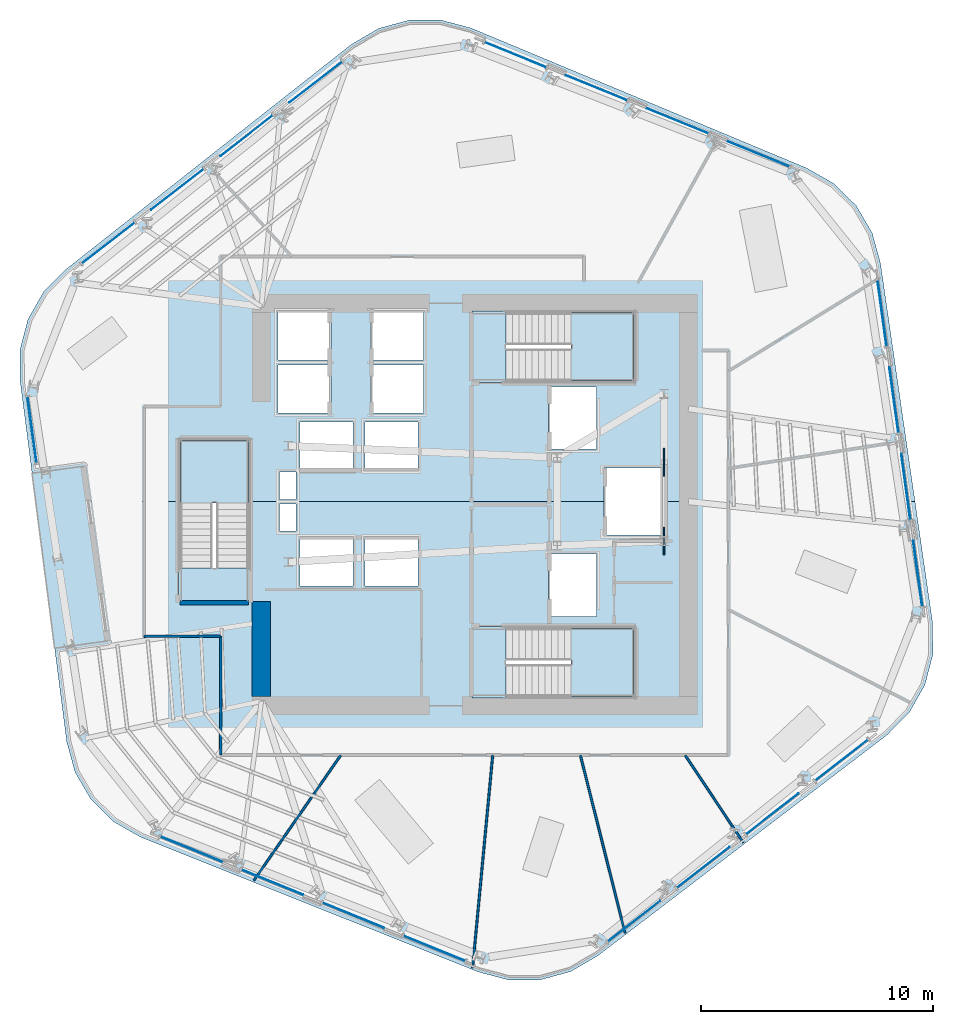
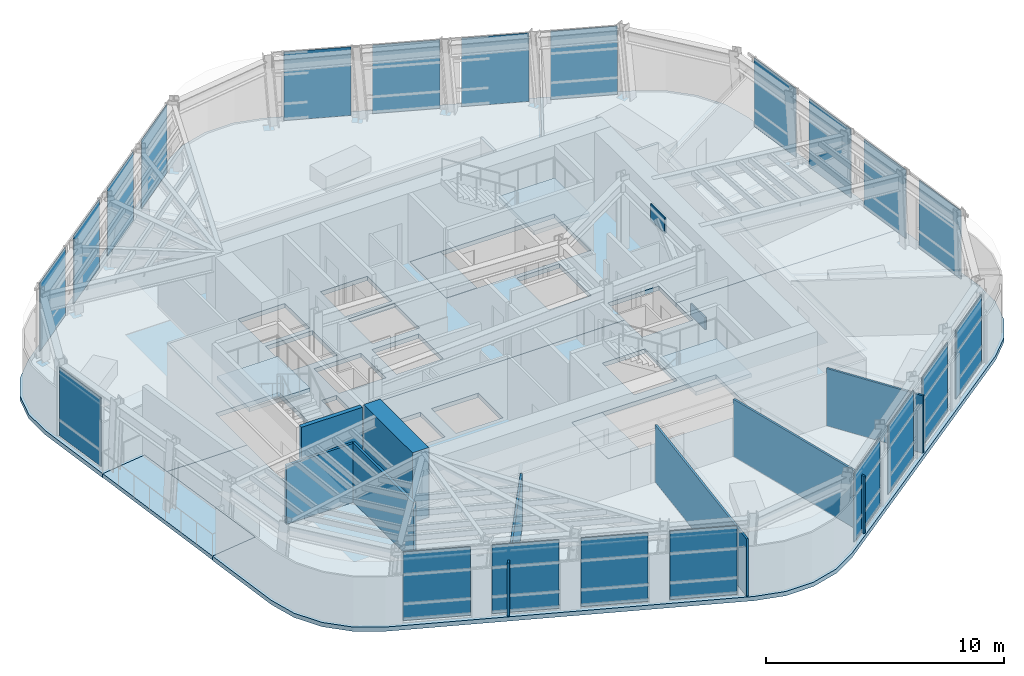
# One storey, part 7 of 15: 23 plates, 9 slabs, 8 walls, 9 elements without a shape of their own.
"""IFC4 building model written with IfcOpenShell, lengths in metres."""

from ifc_helpers import new_model, si_unit, direction, frame, frame_2d, origin, origin_2d, place, context, subcontext, project, spatial, polyline, rectangle, outline, extrude, material, layer, layer_set, type_object, element, aggregate, save


model = new_model("IFC4")

# Units and contexts
model_context = context("Model", 3, precision=1e-05, world=origin(), true_north=direction((0.0, 1.0)))
body_context = subcontext(model_context, "Body", "Model", "MODEL_VIEW")
ifc_project = project(units=[si_unit("LENGTHUNIT", "METRE"), si_unit("AREAUNIT", "SQUARE_METRE"), si_unit("VOLUMEUNIT", "CUBIC_METRE"), si_unit("PLANEANGLEUNIT", "RADIAN"), si_unit("MASSUNIT", "GRAM", prefix="KILO")], contexts=[model_context])

# Site, building, storey
site_placement = place(None, origin())
site = spatial("IfcSite", under=ifc_project, at=site_placement, CompositionType="ELEMENT")
building_placement = place(site_placement, origin())
building = spatial("IfcBuilding", under=site, at=building_placement, Name="Valkerne Bourse Tower", CompositionType="ELEMENT")
storey_placement = place(building_placement, frame((0.0, 0.0, 185.60009765625)))
storey = spatial("IfcBuildingStorey", under=building, at=storey_placement, Name="L47", CompositionType="ELEMENT", Elevation=185.60009765625)

# Curtain wall, plates
ifc_material_1 = material(Name="Aluminium AA 6063-T6", Category="aluminium")
ifc_layer_1 = layer(ifc_material_1, 0.235107421875)
ifc_layer_set_1 = layer_set([ifc_layer_1], Name="Aluminium AA 6063-T6")
curtain_wall_type = type_object("IfcCurtainWallType", Name="CW-03", PredefinedType="NOTDEFINED", material=ifc_layer_set_1)
curtain_wall_1_placement = place(storey_placement, origin())
curtain_wall_1 = element("IfcCurtainWall", 1, at=curtain_wall_1_placement, inside=storey, type_object=curtain_wall_type, Name="L47 Hexagonal Stick Curtain Wall Face 1", PredefinedType="NOTDEFINED")
ifc_material_2 = material(Name="Glass IGU Low-E Double Glazed", Category="glass")
ifc_layer_2 = layer(ifc_material_2, 0.031982421875)
ifc_layer_set_2 = layer_set([ifc_layer_2], Name="Glass IGU Low-E Double Glazed")
plate_type_1 = type_object("IfcPlateType", Name="CW-PNL-IGU-32", PredefinedType="CURTAIN_PANEL", material=ifc_layer_set_2)
plate_1_placement = place(storey_placement, frame((59.02099609375, 41.975830078125, 0.02978515625), z_axis=(0.0, 0.0, 1.0), x_axis=(-0.925875664448, 0.377828339307, 0.0)))
plate_1 = element("IfcPlate", 2, at=plate_1_placement, type_object=plate_type_1, Name="CW-L47-F1 Curtain Panel 00", PredefinedType="CURTAIN_PANEL", context=body_context, shape_type="SweptSolid", body=[
    extrude(rectangle(XDim=2.85107421875, YDim=0.031982421875, at=origin_2d()), origin(), (0.0, 0.0, 1.0), 3.52001953125),
])
plate_2_placement = place(storey_placement, frame((55.529296875, 43.400634765625, 0.02978515625), z_axis=(0.0, 0.0, 1.0), x_axis=(-0.925862601572, 0.377860348556, 0.0)))
plate_2 = element("IfcPlate", 3, at=plate_2_placement, type_object=plate_type_1, Name="CW-L47-F1 Curtain Panel 01", PredefinedType="CURTAIN_PANEL", context=body_context, shape_type="SweptSolid", body=[
    extrude(rectangle(XDim=2.85107421875, YDim=0.031982421875, at=origin_2d()), origin(), (0.0, 0.0, 1.0), 3.52001953125),
])
plate_3_placement = place(storey_placement, frame((52.0380859375, 44.825439453125, 0.02978515625), z_axis=(0.0, 0.0, 1.0), x_axis=(-0.925875664448, 0.377828339307, 0.0)))
plate_3 = element("IfcPlate", 4, at=plate_3_placement, type_object=plate_type_1, Name="CW-L47-F1 Curtain Panel 02", PredefinedType="CURTAIN_PANEL", context=body_context, shape_type="SweptSolid", body=[
    extrude(rectangle(XDim=2.85107421875, YDim=0.031982421875, at=origin_2d()), origin(), (0.0, 0.0, 1.0), 3.52001953125),
])
plate_4_placement = place(storey_placement, frame((48.54638671875, 46.250244140625, 0.02978515625), z_axis=(0.0, 0.0, 1.0), x_axis=(-0.925866387681, 0.377851071406, 0.0)))
plate_4 = element("IfcPlate", 5, at=plate_4_placement, type_object=plate_type_1, Name="CW-L47-F1 Curtain Panel 03", PredefinedType="CURTAIN_PANEL", context=body_context, shape_type="SweptSolid", body=[
    extrude(rectangle(XDim=2.85107421875, YDim=0.031982421875, at=origin_2d()), origin(), (0.0, 0.0, 1.0), 3.52001953125),
])
aggregate(curtain_wall_1, [plate_1, plate_2, plate_3, plate_4])

curtain_wall_2_placement = place(storey_placement, origin())
curtain_wall_2 = element("IfcCurtainWall", 6, at=curtain_wall_2_placement, inside=storey, type_object=curtain_wall_type, Name="L47 Hexagonal Stick Curtain Wall Face 2", PredefinedType="NOTDEFINED")
plate_5_placement = place(storey_placement, frame((39.94091796875, 45.071533203125, 0.02978515625), z_axis=(0.0, 0.0, 1.0), x_axis=(-0.790144053744, -0.612921181174, 0.0)))
plate_5 = element("IfcPlate", 7, at=plate_5_placement, type_object=plate_type_1, Name="CW-L47-F2 Curtain Panel 00", PredefinedType="CURTAIN_PANEL", context=body_context, shape_type="SweptSolid", body=[
    extrude(rectangle(XDim=2.850830078125, YDim=0.031982421875, at=origin_2d()), origin(), (0.0, 0.0, 1.0), 3.52001953125),
])
plate_6_placement = place(storey_placement, frame((36.96142578125, 42.76025390625, 0.02978515625), z_axis=(0.0, 0.0, 1.0), x_axis=(-0.790166858134, -0.612891781889, 0.0)))
plate_6 = element("IfcPlate", 8, at=plate_6_placement, type_object=plate_type_1, Name="CW-L47-F2 Curtain Panel 01", PredefinedType="CURTAIN_PANEL", context=body_context, shape_type="SweptSolid", body=[
    extrude(rectangle(XDim=2.850830078125, YDim=0.031982421875, at=origin_2d()), origin(), (0.0, 0.0, 1.0), 3.52001953125),
])
plate_7_placement = place(storey_placement, frame((33.981689453125, 40.448974609375, 0.02978515625), z_axis=(0.0, 0.0, 1.0), x_axis=(-0.790154015691, -0.612908338569, 0.0)))
plate_7 = element("IfcPlate", 9, at=plate_7_placement, type_object=plate_type_1, Name="CW-L47-F2 Curtain Panel 02", PredefinedType="CURTAIN_PANEL", context=body_context, shape_type="SweptSolid", body=[
    extrude(rectangle(XDim=2.850830078125, YDim=0.031982421875, at=origin_2d()), origin(), (0.0, 0.0, 1.0), 3.52001953125),
])
plate_8_placement = place(storey_placement, frame((31.001953125, 38.1376953125, 0.02978515625), z_axis=(0.0, 0.0, 1.0), x_axis=(-0.790154015691, -0.612908338569, 0.0)))
plate_8 = element("IfcPlate", 10, at=plate_8_placement, type_object=plate_type_1, Name="CW-L47-F2 Curtain Panel 03", PredefinedType="CURTAIN_PANEL", context=body_context, shape_type="SweptSolid", body=[
    extrude(rectangle(XDim=2.850830078125, YDim=0.031982421875, at=origin_2d()), origin(), (0.0, 0.0, 1.0), 3.52001953125),
])
aggregate(curtain_wall_2, [plate_5, plate_6, plate_7, plate_8])

# Curtain wall, plate
curtain_wall_3_placement = place(storey_placement, origin())
curtain_wall_3 = element("IfcCurtainWall", 11, at=curtain_wall_3_placement, inside=storey, type_object=curtain_wall_type, Name="L47 Hexagonal Stick Curtain Wall Face 3", PredefinedType="NOTDEFINED")
plate_9_placement = place(storey_placement, frame((27.72021484375, 30.095703125, 0.02978515625), z_axis=(0.0, 0.0, 1.0), x_axis=(0.135694217689, -0.990750765473, 0.0)))
plate_9 = element("IfcPlate", 12, at=plate_9_placement, type_object=plate_type_1, Name="CW-L47-F3 Curtain Panel 00", PredefinedType="CURTAIN_PANEL", context=body_context, shape_type="SweptSolid", body=[
    extrude(rectangle(XDim=2.850830078125, YDim=0.031982421875, at=origin_2d()), origin(), (0.0, 0.0, 1.0), 3.52001953125),
])
aggregate(curtain_wall_3, [plate_9])

# Curtain wall, plates
curtain_wall_4_placement = place(storey_placement, origin())
curtain_wall_4 = element("IfcCurtainWall", 13, at=curtain_wall_4_placement, inside=storey, type_object=curtain_wall_type, Name="L47 Hexagonal Stick Curtain Wall Face 4", PredefinedType="NOTDEFINED")
plate_10_placement = place(storey_placement, frame((34.5791015625, 12.024169921875, 0.02978515625), z_axis=(0.0, 0.0, 1.0), x_axis=(0.925875664448, -0.377828339307, 0.0)))
plate_10 = element("IfcPlate", 14, at=plate_10_placement, type_object=plate_type_1, Name="CW-L47-F4 Curtain Panel 00", PredefinedType="CURTAIN_PANEL", context=body_context, shape_type="SweptSolid", body=[
    extrude(rectangle(XDim=2.85107421875, YDim=0.031982421875, at=origin_2d()), origin(), (0.0, 0.0, 1.0), 3.52001953125),
])
plate_11_placement = place(storey_placement, frame((38.070556640625, 10.599365234375, 0.02978515625), z_axis=(0.0, 0.0, 1.0), x_axis=(0.925862601572, -0.377860348556, 0.0)))
plate_11 = element("IfcPlate", 15, at=plate_11_placement, type_object=plate_type_1, Name="CW-L47-F4 Curtain Panel 01", PredefinedType="CURTAIN_PANEL", context=body_context, shape_type="SweptSolid", body=[
    extrude(rectangle(XDim=2.85107421875, YDim=0.031982421875, at=origin_2d()), origin(), (0.0, 0.0, 1.0), 3.52001953125),
])
plate_12_placement = place(storey_placement, frame((41.56201171875, 9.174560546875, 0.02978515625), z_axis=(0.0, 0.0, 1.0), x_axis=(0.925875664448, -0.377828339307, 0.0)))
plate_12 = element("IfcPlate", 16, at=plate_12_placement, type_object=plate_type_1, Name="CW-L47-F4 Curtain Panel 02", PredefinedType="CURTAIN_PANEL", context=body_context, shape_type="SweptSolid", body=[
    extrude(rectangle(XDim=2.85107421875, YDim=0.031982421875, at=origin_2d()), origin(), (0.0, 0.0, 1.0), 3.52001953125),
])
plate_13_placement = place(storey_placement, frame((45.053466796875, 7.74951171875, 0.02978515625), z_axis=(0.0, 0.0, 1.0), x_axis=(0.925866387681, -0.377851071406, 0.0)))
plate_13 = element("IfcPlate", 17, at=plate_13_placement, type_object=plate_type_1, Name="CW-L47-F4 Curtain Panel 03", PredefinedType="CURTAIN_PANEL", context=body_context, shape_type="SweptSolid", body=[
    extrude(rectangle(XDim=2.85107421875, YDim=0.031982421875, at=origin_2d()), origin(), (0.0, 0.0, 1.0), 3.52001953125),
])
aggregate(curtain_wall_4, [plate_10, plate_11, plate_12, plate_13])

curtain_wall_5_placement = place(storey_placement, origin())
curtain_wall_5 = element("IfcCurtainWall", 18, at=curtain_wall_5_placement, inside=storey, type_object=curtain_wall_type, Name="L47 Hexagonal Stick Curtain Wall Face 5", PredefinedType="NOTDEFINED")
plate_14_placement = place(storey_placement, frame((53.658935546875, 8.928466796875, 0.02978515625), z_axis=(0.0, 0.0, 1.0), x_axis=(0.790144053744, 0.612921181174, 0.0)))
plate_14 = element("IfcPlate", 19, at=plate_14_placement, type_object=plate_type_1, Name="CW-L47-F5 Curtain Panel 00", PredefinedType="CURTAIN_PANEL", context=body_context, shape_type="SweptSolid", body=[
    extrude(rectangle(XDim=2.850830078125, YDim=0.031982421875, at=origin_2d()), origin(), (0.0, 0.0, 1.0), 3.52001953125),
])
plate_15_placement = place(storey_placement, frame((56.638671875, 11.23974609375, 0.02978515625), z_axis=(0.0, 0.0, 1.0), x_axis=(0.790166858134, 0.612891781889, 0.0)))
plate_15 = element("IfcPlate", 20, at=plate_15_placement, type_object=plate_type_1, Name="CW-L47-F5 Curtain Panel 01", PredefinedType="CURTAIN_PANEL", context=body_context, shape_type="SweptSolid", body=[
    extrude(rectangle(XDim=2.850830078125, YDim=0.031982421875, at=origin_2d()), origin(), (0.0, 0.0, 1.0), 3.52001953125),
])
plate_16_placement = place(storey_placement, frame((59.618408203125, 13.551025390625, 0.02978515625), z_axis=(0.0, 0.0, 1.0), x_axis=(0.790154015691, 0.612908338569, 0.0)))
plate_16 = element("IfcPlate", 21, at=plate_16_placement, type_object=plate_type_1, Name="CW-L47-F5 Curtain Panel 02", PredefinedType="CURTAIN_PANEL", context=body_context, shape_type="SweptSolid", body=[
    extrude(rectangle(XDim=2.850830078125, YDim=0.031982421875, at=origin_2d()), origin(), (0.0, 0.0, 1.0), 3.52001953125),
])
plate_17_placement = place(storey_placement, frame((62.59814453125, 15.8623046875, 0.02978515625), z_axis=(0.0, 0.0, 1.0), x_axis=(0.790154015691, 0.612908338569, 0.0)))
plate_17 = element("IfcPlate", 22, at=plate_17_placement, type_object=plate_type_1, Name="CW-L47-F5 Curtain Panel 03", PredefinedType="CURTAIN_PANEL", context=body_context, shape_type="SweptSolid", body=[
    extrude(rectangle(XDim=2.850830078125, YDim=0.031982421875, at=origin_2d()), origin(), (0.0, 0.0, 1.0), 3.52001953125),
])
aggregate(curtain_wall_5, [plate_14, plate_15, plate_16, plate_17])

curtain_wall_6_placement = place(storey_placement, origin())
curtain_wall_6 = element("IfcCurtainWall", 23, at=curtain_wall_6_placement, inside=storey, type_object=curtain_wall_type, Name="L47 Hexagonal Stick Curtain Wall Face 6", PredefinedType="NOTDEFINED")
plate_18_placement = place(storey_placement, frame((65.8798828125, 23.904296875, 0.02978515625), z_axis=(0.0, 0.0, 1.0), x_axis=(-0.135694217689, 0.990750765473, 0.0)))
plate_18 = element("IfcPlate", 24, at=plate_18_placement, type_object=plate_type_1, Name="CW-L47-F6 Curtain Panel 00", PredefinedType="CURTAIN_PANEL", context=body_context, shape_type="SweptSolid", body=[
    extrude(rectangle(XDim=2.850830078125, YDim=0.031982421875, at=origin_2d()), origin(), (0.0, 0.0, 1.0), 3.52001953125),
])
plate_19_placement = place(storey_placement, frame((65.3681640625, 27.640380859375, 0.02978515625), z_axis=(0.0, 0.0, 1.0), x_axis=(-0.135720247585, 0.990747200044, 0.0)))
plate_19 = element("IfcPlate", 25, at=plate_19_placement, type_object=plate_type_1, Name="CW-L47-F6 Curtain Panel 01", PredefinedType="CURTAIN_PANEL", context=body_context, shape_type="SweptSolid", body=[
    extrude(rectangle(XDim=2.850830078125, YDim=0.031982421875, at=origin_2d()), origin(), (0.0, 0.0, 1.0), 3.52001953125),
])
plate_20_placement = place(storey_placement, frame((64.8564453125, 31.37646484375, 0.02978515625), z_axis=(0.0, 0.0, 1.0), x_axis=(-0.135720247585, 0.990747200044, 0.0)))
plate_20 = element("IfcPlate", 26, at=plate_20_placement, type_object=plate_type_1, Name="CW-L47-F6 Curtain Panel 02", PredefinedType="CURTAIN_PANEL", context=body_context, shape_type="SweptSolid", body=[
    extrude(rectangle(XDim=2.850830078125, YDim=0.031982421875, at=origin_2d()), origin(), (0.0, 0.0, 1.0), 3.52001953125),
])
plate_21_placement = place(storey_placement, frame((64.344482421875, 35.112548828125, 0.02978515625), z_axis=(0.0, 0.0, 1.0), x_axis=(-0.135720247585, 0.990747200044, 0.0)))
plate_21 = element("IfcPlate", 27, at=plate_21_placement, type_object=plate_type_1, Name="CW-L47-F6 Curtain Panel 03", PredefinedType="CURTAIN_PANEL", context=body_context, shape_type="SweptSolid", body=[
    extrude(rectangle(XDim=2.850830078125, YDim=0.031982421875, at=origin_2d()), origin(), (0.0, 0.0, 1.0), 3.52001953125),
])
aggregate(curtain_wall_6, [plate_18, plate_19, plate_20, plate_21])

# Plates
ifc_material_3 = material(Name="Steel ASTM A572 Grade 50", Category="steel")
ifc_layer_3 = layer(ifc_material_3, 0.06005859375)
ifc_layer_set_3 = layer_set([ifc_layer_3], Name="Steel ASTM A572 Grade 50")
plate_type_2 = type_object("IfcPlateType", Name="PLT-GUS-60", PredefinedType="SHEET", material=ifc_layer_set_3)
for number, where, z_axis, x_axis, name in (
    (28, (54.949951171875, 25.300048828125, -0.18017578125), (0.0, 0.0, 1.0), (0.0, 1.0, 0.0), "L47 Brace Node Gusset Plate PLT-GUS-END-L47-410"),
    (29, (54.949951171875, 28.699951171875, 2.8740234375), (0.0, 0.0, 1.0), (0.0, 1.0, 0.0), "L47 Brace Node Gusset Plate PLT-GUS-END-L47-411"),
):
    element("IfcPlate", number, at=place(storey_placement, frame(where, z_axis=z_axis, x_axis=x_axis)), inside=storey, type_object=plate_type_2, Name=name, PredefinedType="SHEET", context=body_context, shape_type="SweptSolid", body=[
        extrude(rectangle(XDim=1.199951171875, YDim=0.06005859375, at=origin_2d()), origin(), (0.0, 0.0, 1.0), 0.800048828125),
    ])

# Slabs
ifc_material_4 = material(Name="Concrete C40/50", Category="concrete")
ifc_layer_4 = layer(ifc_material_4, 0.25)
ifc_layer_set_4 = layer_set([ifc_layer_4], Name="Concrete C40/50")
slab_type_1 = type_object("IfcSlabType", Name="SLB-RMP-LND-250", PredefinedType="LANDING", material=ifc_layer_set_4)
slab_1_placement = place(storey_placement, frame((0.0, 0.0, -0.22021484375)))
element("IfcSlab", 30, at=slab_1_placement, inside=storey, type_object=slab_type_1, Name="L47 ST-1 Floor Landing Slab", PredefinedType="LANDING", context=body_context, shape_type="SweptSolid", body=[
    extrude(outline(polyline([(46.669921875, 18.5400390625), (48.14990234375, 18.5400390625), (48.14990234375, 21.610107421875), (46.669921875, 21.610107421875), (46.669921875, 18.5400390625)])), origin(), (0.0, 0.0, 1.0), 0.22021484375),
])
slab_2_placement = place(storey_placement, frame((0.0, 0.0, -0.22021484375)))
element("IfcSlab", 31, at=slab_2_placement, inside=storey, type_object=slab_type_1, Name="L47 ST-2 Floor Landing Slab", PredefinedType="LANDING", context=body_context, shape_type="SweptSolid", body=[
    extrude(outline(polyline([(46.669921875, 32.139892578125), (48.14990234375, 32.139892578125), (48.14990234375, 35.2099609375), (46.669921875, 35.2099609375), (46.669921875, 32.139892578125)])), origin(), (0.0, 0.0, 1.0), 0.22021484375),
])
slab_3_placement = place(storey_placement, frame((0.0, 0.0, -0.22021484375)))
element("IfcSlab", 32, at=slab_3_placement, inside=storey, type_object=slab_type_1, Name="L47 ST-3 Floor Landing Slab", PredefinedType="LANDING", context=body_context, shape_type="SweptSolid", body=[
    extrude(outline(polyline([(37.110107421875, 22.669921875), (37.110107421875, 24.14990234375), (34.0400390625, 24.14990234375), (34.0400390625, 22.669921875), (37.110107421875, 22.669921875)])), origin(), (0.0, 0.0, 1.0), 0.22021484375),
])

# Stair, slab
stair_type = type_object("IfcStairType", Name="ST-CORE-1400", PredefinedType="HALF_TURN_STAIR", material=ifc_material_4)
stair_1_placement = place(storey_placement, origin())
stair_1 = element("IfcStair", 33, at=stair_1_placement, inside=storey, type_object=stair_type, Name="L47 ST-1", PredefinedType="HALF_TURN_STAIR")
ifc_layer_5 = layer(ifc_material_4, 0.179931640625)
ifc_layer_set_5 = layer_set([ifc_layer_5], Name="Concrete C40/50")
slab_type_2 = type_object("IfcSlabType", Name="SLB-ST-LND-180", PredefinedType="LANDING", material=ifc_layer_set_5)
slab_4_placement = place(storey_placement, frame((0.0, 0.0, 1.699951171875)))
slab_4 = element("IfcSlab", 34, at=slab_4_placement, type_object=slab_type_2, Name="ST-1 landing 1", PredefinedType="LANDING", context=body_context, shape_type="SweptSolid", body=[
    extrude(outline(polyline([(50.949951171875, 18.60009765625), (53.64990234375, 18.60009765625), (53.64990234375, 21.550048828125), (50.949951171875, 21.550048828125), (50.949951171875, 18.60009765625)])), origin(), (0.0, 0.0, 1.0), 0.199951171875),
])
aggregate(stair_1, [slab_4])

stair_2_placement = place(storey_placement, origin())
stair_2 = element("IfcStair", 35, at=stair_2_placement, inside=storey, type_object=stair_type, Name="L47 ST-2", PredefinedType="HALF_TURN_STAIR")
slab_5_placement = place(storey_placement, frame((0.0, 0.0, 1.699951171875)))
slab_5 = element("IfcSlab", 36, at=slab_5_placement, type_object=slab_type_2, Name="ST-2 landing 1", PredefinedType="LANDING", context=body_context, shape_type="SweptSolid", body=[
    extrude(outline(polyline([(50.949951171875, 32.199951171875), (53.64990234375, 32.199951171875), (53.64990234375, 35.14990234375), (50.949951171875, 35.14990234375), (50.949951171875, 32.199951171875)])), origin(), (0.0, 0.0, 1.0), 0.199951171875),
])
aggregate(stair_2, [slab_5])

stair_3_placement = place(storey_placement, origin())
stair_3 = element("IfcStair", 37, at=stair_3_placement, inside=storey, type_object=stair_type, Name="L47 ST-3", PredefinedType="HALF_TURN_STAIR")
slab_6_placement = place(storey_placement, frame((0.0, 0.0, 1.699951171875)))
slab_6 = element("IfcSlab", 38, at=slab_6_placement, type_object=slab_type_2, Name="ST-3 landing 1", PredefinedType="LANDING", context=body_context, shape_type="SweptSolid", body=[
    extrude(outline(polyline([(37.050048828125, 26.949951171875), (37.050048828125, 29.64990234375), (34.10009765625, 29.64990234375), (34.10009765625, 26.949951171875), (37.050048828125, 26.949951171875)])), origin(), (0.0, 0.0, 1.0), 0.199951171875),
])
aggregate(stair_3, [slab_6])

# Slabs
ifc_layer_6 = layer(ifc_material_4, 0.199951171875)
ifc_layer_set_6 = layer_set([ifc_layer_6], Name="Concrete C40/50")
slab_type_3 = type_object("IfcSlabType", Name="SLB-TER-200", PredefinedType="FLOOR", material=ifc_layer_set_6)
slab_7_placement = place(storey_placement, frame((0.0, 0.0, -0.2001953125)))
element("IfcSlab", 39, at=slab_7_placement, inside=storey, type_object=slab_type_3, Name="L47 V-Notch Stepped Outdoor Terrace Slab", PredefinedType="FLOOR", context=body_context, shape_type="SweptSolid", body=[
    extrude(outline(polyline([(27.720458984375, 28.221923828125), (29.930908203125, 28.524658203125), (30.96240234375, 20.9951171875), (28.693603515625, 20.684326171875), (27.720458984375, 28.221923828125)])), origin(), (0.0, 0.0, 1.0), 0.2001953125),
])
ifc_layer_7 = layer(ifc_material_4, 0.219970703125)
ifc_layer_set_7 = layer_set([ifc_layer_7], Name="Concrete C40/50")
slab_type_4 = type_object("IfcSlabType", Name="SLB-TOW-220", PredefinedType="FLOOR", material=ifc_layer_set_7)
slab_8_placement = place(storey_placement, frame((0.0, 0.0, -0.22021484375)))
element("IfcSlab", 40, at=slab_8_placement, inside=storey, type_object=slab_type_4, Name="L47 Hexagonal Composite Floor Slab S", PredefinedType="FLOOR", context=body_context, shape_type="SweptSolid", body=[
    extrude(outline(polyline([(66.52099609375, 21.76025390625), (66.528076171875, 20.402587890625), (66.18359375, 19.089599609375), (65.510986328125, 17.910400390625), (64.55615234375, 16.94580078125), (52.103759765625, 7.43994140625), (50.931640625, 6.7548828125), (49.622314453125, 6.396728515625), (48.264892578125, 6.3896484375), (46.951904296875, 6.734130859375), (32.401611328125, 12.541015625), (31.22265625, 13.213623046875), (30.2578125, 14.16845703125), (29.57275390625, 15.340576171875), (29.214599609375, 16.64990234375), (28.693603515625, 20.684326171875), (30.96240234375, 20.9951171875), (30.1396484375, 27.0), (34.034912109375, 27.0), (34.034912109375, 22.6650390625), (37.114990234375, 22.6650390625), (37.114990234375, 27.0), (52.360107421875, 27.0), (52.360107421875, 25.56005859375), (54.840087890625, 25.56005859375), (54.840087890625, 27.0), (65.761962890625, 27.0), (66.52099609375, 21.76025390625)]), holes=[polyline([(41.5400390625, 25.43994140625), (39.260009765625, 25.43994140625), (39.260009765625, 23.360107421875), (41.5400390625, 23.360107421875), (41.5400390625, 25.43994140625)]), polyline([(44.340087890625, 25.43994140625), (42.06005859375, 25.43994140625), (42.06005859375, 23.360107421875), (44.340087890625, 23.360107421875), (44.340087890625, 25.43994140625)]), polyline([(39.10009765625, 26.89990234375), (38.3798828125, 26.89990234375), (38.3798828125, 25.72998046875), (39.10009765625, 25.72998046875), (39.10009765625, 26.89990234375)]), polyline([(53.675048828125, 21.614990234375), (46.6650390625, 21.614990234375), (46.6650390625, 18.534912109375), (53.675048828125, 18.534912109375), (53.675048828125, 21.614990234375)]), polyline([(52.0400390625, 24.739990234375), (49.9599609375, 24.739990234375), (49.9599609375, 22.06005859375), (52.0400390625, 22.06005859375), (52.0400390625, 24.739990234375)])]), origin(), (0.0, 0.0, 1.0), 0.22021484375),
])
slab_9_placement = place(storey_placement, frame((0.0, 0.0, -0.22021484375)))
element("IfcSlab", 41, at=slab_9_placement, inside=storey, type_object=slab_type_4, Name="L47 Hexagonal Composite Floor Slab N", PredefinedType="FLOOR", context=body_context, shape_type="SweptSolid", body=[
    extrude(outline(polyline([(27.5458984375, 34.857421875), (28.218505859375, 36.03662109375), (29.17333984375, 37.00146484375), (41.477294921875, 46.69873046875), (42.6494140625, 47.3837890625), (43.958740234375, 47.741943359375), (45.316162109375, 47.7490234375), (46.629150390625, 47.404541015625), (61.087646484375, 41.373291015625), (62.266845703125, 40.70068359375), (63.231689453125, 39.74560546875), (63.91650390625, 38.57373046875), (64.27490234375, 37.264404296875), (65.761962890625, 27.0), (54.840087890625, 27.0), (54.840087890625, 28.43994140625), (52.360107421875, 28.43994140625), (52.360107421875, 27.0), (37.114990234375, 27.0), (37.114990234375, 29.675048828125), (34.034912109375, 29.675048828125), (34.034912109375, 27.0), (30.1396484375, 27.0), (29.930908203125, 28.524658203125), (27.720458984375, 28.221923828125), (27.20849609375, 32.18701171875), (27.201416015625, 33.54443359375), (27.5458984375, 34.857421875)]), holes=[polyline([(39.10009765625, 28.27001953125), (38.3798828125, 28.27001953125), (38.3798828125, 27.10009765625), (39.10009765625, 27.10009765625), (39.10009765625, 28.27001953125)]), polyline([(41.5400390625, 30.43994140625), (39.260009765625, 30.43994140625), (39.260009765625, 28.360107421875), (41.5400390625, 28.360107421875), (41.5400390625, 30.43994140625)]), polyline([(40.590087890625, 32.889892578125), (38.31005859375, 32.889892578125), (38.31005859375, 30.81005859375), (40.590087890625, 30.81005859375), (40.590087890625, 32.889892578125)]), polyline([(40.590087890625, 35.18994140625), (38.31005859375, 35.18994140625), (38.31005859375, 33.110107421875), (40.590087890625, 33.110107421875), (40.590087890625, 35.18994140625)]), polyline([(44.340087890625, 30.43994140625), (42.06005859375, 30.43994140625), (42.06005859375, 28.360107421875), (44.340087890625, 28.360107421875), (44.340087890625, 30.43994140625)]), polyline([(52.0400390625, 31.93994140625), (49.9599609375, 31.93994140625), (49.9599609375, 29.260009765625), (52.0400390625, 29.260009765625), (52.0400390625, 31.93994140625)]), polyline([(44.590087890625, 32.889892578125), (42.31005859375, 32.889892578125), (42.31005859375, 30.81005859375), (44.590087890625, 30.81005859375), (44.590087890625, 32.889892578125)]), polyline([(53.675048828125, 35.215087890625), (46.6650390625, 35.215087890625), (46.6650390625, 32.135009765625), (53.675048828125, 32.135009765625), (53.675048828125, 35.215087890625)]), polyline([(44.590087890625, 35.18994140625), (42.31005859375, 35.18994140625), (42.31005859375, 33.110107421875), (44.590087890625, 33.110107421875), (44.590087890625, 35.18994140625)])]), origin(), (0.0, 0.0, 1.0), 0.22021484375),
])

# Walls
ifc_material_5 = material(Name="Concrete C55/67", Category="concrete")
ifc_layer_8 = layer(ifc_material_5, 0.800048828125)
ifc_layer_set_8 = layer_set([ifc_layer_8], Name="Concrete C55/67")
wall_type_1 = type_object("IfcWallType", Name="W-CORE-800", PredefinedType="SHEAR", material=ifc_layer_set_8)
wall_1_placement = place(storey_placement, frame((37.60009765625, 18.60009765625, 0.0), z_axis=(0.0, 0.0, 1.0), x_axis=(0.0, 1.0, 0.0)))
element("IfcWall", 42, at=wall_1_placement, inside=storey, type_object=wall_type_1, Name="L47 Core Shear Wall WEST-S", PredefinedType="SHEAR", context=body_context, shape_type="SweptSolid", body=[
    extrude(rectangle(XDim=4.099853515625, YDim=0.800048828125, at=frame_2d((2.0498046875, 0.0))), origin(), (0.0, 0.0, 1.0), 3.579833984375),
])
ifc_material_6 = material(Name="Gypsum Board Steel-Stud Partition", Category="steel")
ifc_layer_9 = layer(ifc_material_6, 0.117919921875)
ifc_layer_set_9 = layer_set([ifc_layer_9], Name="Gypsum Board Steel-Stud Partition")
wall_type_2 = type_object("IfcWallType", Name="W-CORR-140", PredefinedType="PARTITIONING", material=ifc_layer_set_9)
wall_2_placement = place(storey_placement, frame((35.85009765625, 16.080078125, 0.0), z_axis=(0.0, 0.0, 1.0), x_axis=(0.0, 1.0, 0.0)))
element("IfcWall", 43, at=wall_2_placement, inside=storey, type_object=wall_type_2, Name="L47 Corridor Enclosure Wall", PredefinedType="PARTITIONING", context=body_context, shape_type="SweptSolid", body=[
    extrude(rectangle(XDim=5.119873046875, YDim=0.117919921875, at=frame_2d((2.56005859375, 0.0))), origin(), (0.0, 0.0, 1.0), 3.03662109375),
])
wall_3_placement = place(storey_placement, frame((35.85009765625, 21.199951171875, 0.0), z_axis=(0.0, 0.0, 1.0), x_axis=(-1.0, 0.0, 0.0)))
element("IfcWall", 44, at=wall_3_placement, inside=storey, type_object=wall_type_2, Name="L47 Corridor Enclosure Wall", PredefinedType="PARTITIONING", context=body_context, shape_type="SweptSolid", body=[
    extrude(rectangle(XDim=3.300048828125, YDim=0.117919921875, at=frame_2d((1.64990234375, 0.0))), origin(), (0.0, 0.0, 1.0), 3.021240234375),
])
ifc_layer_10 = layer(ifc_material_6, 0.092041015625)
ifc_layer_set_10 = layer_set([ifc_layer_10], Name="Gypsum Board Steel-Stud Partition")
wall_type_3 = type_object("IfcWallType", Name="W-PART-115", PredefinedType="PARTITIONING", material=ifc_layer_set_10)
wall_4_placement = place(storey_placement, frame((47.5673828125, 16.074951171875, 0.0), z_axis=(0.0, 0.0, 1.0), x_axis=(-0.094117005308, -0.99556114293, 0.0)))
element("IfcWall", 45, at=wall_4_placement, inside=storey, type_object=wall_type_3, Name="L47 Suite Partition P01", PredefinedType="PARTITIONING", context=body_context, shape_type="SweptSolid", body=[
    extrude(rectangle(XDim=9.2060546875, YDim=0.092041015625, at=frame_2d((4.60302734375, 0.0))), origin(), (0.0, 0.0, 1.0), 2.9423828125),
])
wall_5_placement = place(storey_placement, frame((51.34423828125, 16.074951171875, 0.0), z_axis=(0.0, 0.0, 1.0), x_axis=(0.24360488536, -0.969874558811, 0.0)))
element("IfcWall", 46, at=wall_5_placement, inside=storey, type_object=wall_type_3, Name="L47 Suite Partition P02", PredefinedType="PARTITIONING", context=body_context, shape_type="SweptSolid", body=[
    extrude(rectangle(XDim=7.896240234375, YDim=0.092041015625, at=frame_2d((3.9482421875, 0.0))), origin(), (0.0, 0.0, 1.0), 2.9423828125),
])
wall_6_placement = place(storey_placement, frame((55.858642578125, 16.074951171875, 0.0), z_axis=(0.0, 0.0, 1.0), x_axis=(0.553392197646, -0.832920809912, 0.0)))
element("IfcWall", 47, at=wall_6_placement, inside=storey, type_object=wall_type_3, Name="L47 Suite Partition P03", PredefinedType="PARTITIONING", context=body_context, shape_type="SweptSolid", body=[
    extrude(rectangle(XDim=4.525146484375, YDim=0.092041015625, at=frame_2d((2.2626953125, 0.0))), origin(), (0.0, 0.0, 1.0), 2.9423828125),
])
wall_7_placement = place(storey_placement, frame((41.021484375, 16.074951171875, 0.0), z_axis=(0.0, 0.0, 1.0), x_axis=(-0.569993572697, -0.821649150845, 0.0)))
element("IfcWall", 48, at=wall_7_placement, inside=storey, type_object=wall_type_3, Name="L47 Suite Partition P09", PredefinedType="PARTITIONING", context=body_context, shape_type="SweptSolid", body=[
    extrude(rectangle(XDim=6.57568359375, YDim=0.092041015625, at=frame_2d((3.287841796875, 0.0))), origin(), (0.0, 0.0, 1.0), 2.71142578125),
])
ifc_layer_11 = layer(ifc_material_4, 0.199951171875)
ifc_layer_set_11 = layer_set([ifc_layer_11], Name="Concrete C40/50")
wall_type_4 = type_object("IfcWallType", Name="W-SHF-200", PredefinedType="SHEAR", material=ifc_layer_set_11)
wall_8_placement = place(storey_placement, frame((34.10009765625, 22.64990234375, 0.0), z_axis=(0.0, 0.0, 1.0), x_axis=(1.0, 0.0, 0.0)))
element("IfcWall", 49, at=wall_8_placement, inside=storey, type_object=wall_type_4, Name="L47 Exit Stair ST-3 Structural Shaft Wall South", PredefinedType="SHEAR", context=body_context, shape_type="SweptSolid", body=[
    extrude(rectangle(XDim=2.949951171875, YDim=0.199951171875, at=frame_2d((1.47509765625, 0.0))), origin(), (0.0, 0.0, 1.0), 3.579833984375),
])

save(model, "model.ifc")
